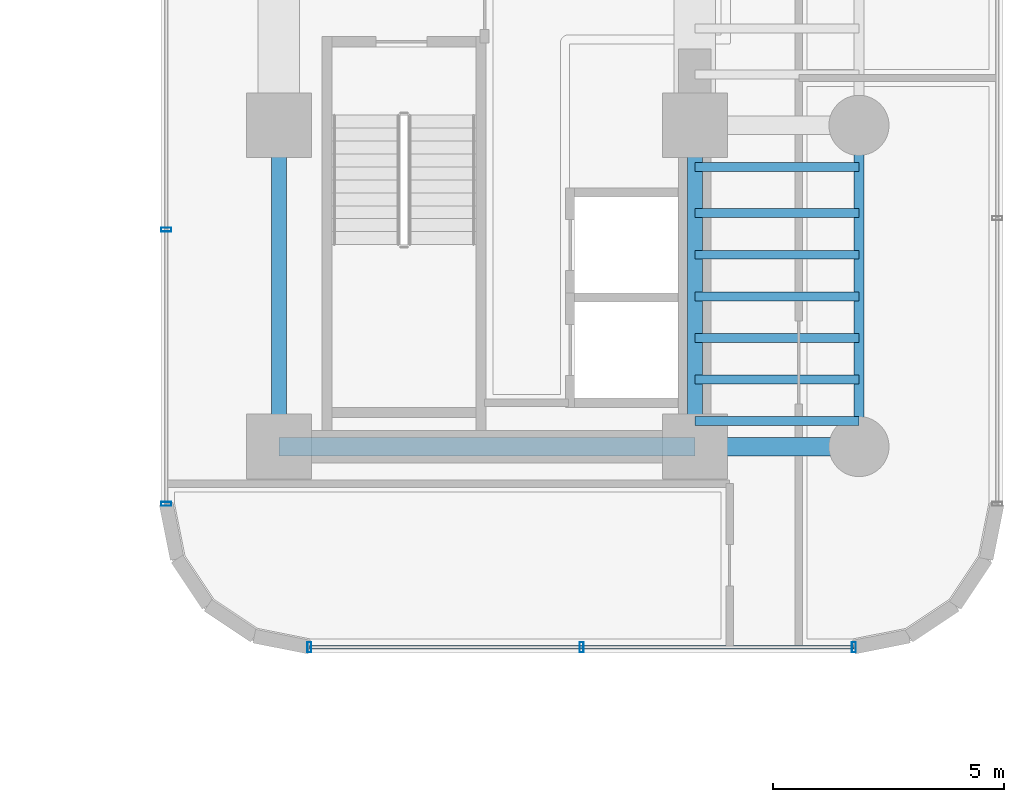
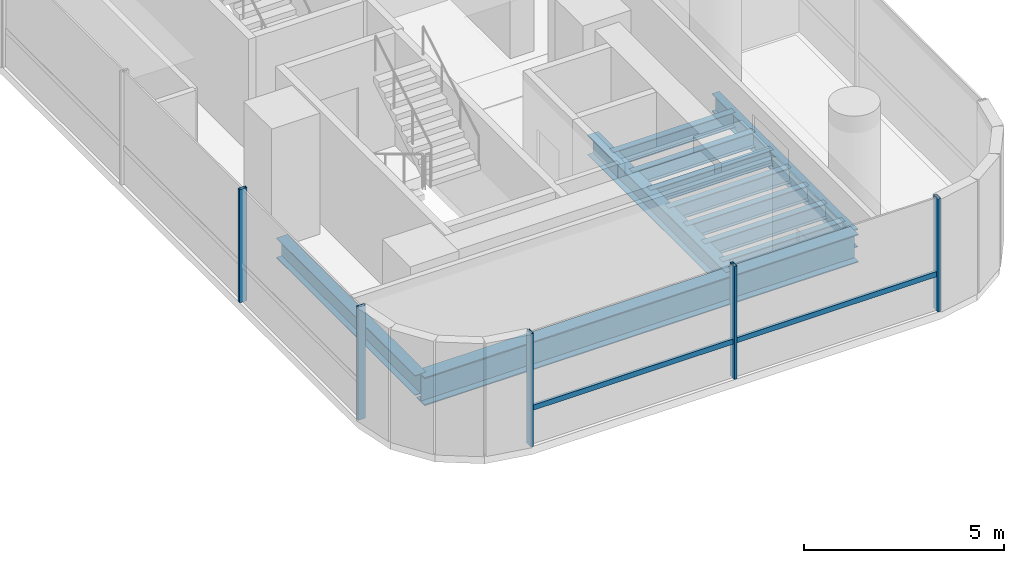
# One storey, part 14 of 40: 12 beams, 6 members, 2 elements without a shape of their own.
"""IFC4 building model written with IfcOpenShell, lengths in metres."""

from ifc_helpers import new_model, si_unit, direction, frame, origin, origin_2d, place, context, subcontext, project, spatial, hollow_rectangle, i_section, extrude, source, transform, mapped, material, material_profile, profile_set, type_object, element, aggregate, save


model = new_model("IFC4")

# Units and contexts
model_context = context("Model", 3, precision=1e-05, world=origin(), true_north=direction((0.0, 1.0)))
body_context = subcontext(model_context, "Body", "Model", "MODEL_VIEW")
ifc_project = project(units=[si_unit("LENGTHUNIT", "METRE"), si_unit("AREAUNIT", "SQUARE_METRE"), si_unit("VOLUMEUNIT", "CUBIC_METRE"), si_unit("PLANEANGLEUNIT", "RADIAN"), si_unit("MASSUNIT", "GRAM", prefix="KILO")], contexts=[model_context])

# Site, building, storey
site_placement = place(None, origin())
site = spatial("IfcSite", under=ifc_project, at=site_placement, CompositionType="ELEMENT")
building_placement = place(site_placement, origin())
building = spatial("IfcBuilding", under=site, at=building_placement, Name="Valdorenza Pilgrim Sanctuary Tower", CompositionType="ELEMENT")
storey_placement = place(building_placement, frame((0.0, 0.0, 51.89990234375)))
storey = spatial("IfcBuildingStorey", under=building, at=storey_placement, Name="L12", CompositionType="ELEMENT", Elevation=51.89990234375)

# Beams
ifc_material_1 = material(Name="Steel ASTM A992 Grade 50", Category="steel")
ifc_material_profile_1 = material_profile(ifc_material_1, i_section(OverallWidth=0.323974609375, OverallDepth=0.611083984375, WebThickness=0.0126953125, FlangeThickness=0.01904296875, at=origin_2d()), Name="W24X104")
ifc_profile_set_1 = profile_set([ifc_material_profile_1], Name="Steel ASTM A992 Grade 50")
beam_type_1 = type_object("IfcBeamType", Name="STR-BM-GRD-W24B", PredefinedType="BEAM", material=ifc_profile_set_1)
shared_shape_1 = source(origin(), body_context, "Body", "SweptSolid", [
    extrude(i_section(OverallWidth=0.323974609375, OverallDepth=0.611083984375, WebThickness=0.0126953125, FlangeThickness=0.01904296875, at=origin_2d()), origin(), (0.0, 0.0, 1.0), 6.949951171875),
])
for number, where, z_axis, x_axis, name in (
    (1, (15.85009765625, -9.550048828125, -0.54541015625), (0.0, 1.0, 0.0), (-1.0, 0.0, 0.0), "L12 Core Tie Girder CB-W-S1M0"),
    (2, (24.85009765625, -9.550048828125, -0.54541015625), (0.0, 1.0, 0.0), (-1.0, 0.0, 0.0), "L12 Core Tie Girder CB-E-S1M0"),
):
    element("IfcBeam", number, at=place(storey_placement, frame(where, z_axis=z_axis, x_axis=x_axis)), inside=storey, type_object=beam_type_1, Name=name, PredefinedType="BEAM", context=body_context, shape_type="MappedRepresentation", body=[
        mapped(shared_shape_1, transform((0.0, 0.0, 0.0), x_axis=(1.0, 0.0, 0.0), y_axis=(0.0, 1.0, 0.0), z_axis=(0.0, 0.0, 1.0), scale=1.0)),
    ])
ifc_material_profile_2 = material_profile(ifc_material_1, i_section(OverallWidth=0.214111328125, OverallDepth=0.549072265625, WebThickness=0.0146484375, FlangeThickness=0.023681640625, at=origin_2d()), Name="W21X93")
ifc_profile_set_2 = profile_set([ifc_material_profile_2], Name="Steel ASTM A992 Grade 50")
beam_type_2 = type_object("IfcBeamType", Name="STR-BM-SPN-W21A", PredefinedType="SPANDREL", material=ifc_profile_set_2)
shared_shape_2 = source(origin(), body_context, "Body", "SweptSolid", [
    extrude(i_section(OverallWidth=0.214111328125, OverallDepth=0.549072265625, WebThickness=0.0146484375, FlangeThickness=0.023681640625, at=origin_2d()), origin(), (0.0, 0.0, 1.0), 6.949951171875),
])
beam_1_placement = place(storey_placement, frame((28.39990234375, -9.550048828125, -0.514404296875), z_axis=(0.0, 1.0, 0.0), x_axis=(-1.0, 0.0, 0.0)))
element("IfcBeam", 3, at=beam_1_placement, inside=storey, type_object=beam_type_2, Name="L12 Spandrel Beam WB-E-S1M0", PredefinedType="SPANDREL", context=body_context, shape_type="MappedRepresentation", body=[
    mapped(shared_shape_2, transform((0.0, 0.0, 0.0), x_axis=(1.0, 0.0, 0.0), y_axis=(0.0, 1.0, 0.0), z_axis=(0.0, 0.0, 1.0), scale=1.0)),
])
ifc_material_profile_3 = material_profile(ifc_material_1, i_section(OverallWidth=0.193115234375, OverallDepth=0.466064453125, WebThickness=0.011474609375, FlangeThickness=0.01904296875, at=origin_2d()), Name="W18X65")
ifc_profile_set_3 = profile_set([ifc_material_profile_3], Name="Steel ASTM A992 Grade 50")
beam_type_3 = type_object("IfcBeamType", Name="STR-BM-JST-W18A", PredefinedType="JOIST", material=ifc_profile_set_3)
shared_shape_3 = source(origin(), body_context, "Body", "SweptSolid", [
    extrude(i_section(OverallWidth=0.193115234375, OverallDepth=0.466064453125, WebThickness=0.011474609375, FlangeThickness=0.01904296875, at=origin_2d()), origin(), (0.0, 0.0, 1.0), 3.5498046875),
])
for number, where, z_axis, x_axis, name in (
    (4, (24.85009765625, -9.0, -0.472900390625), (1.0, 0.0, 0.0), (0.0, 1.0, 0.0), "L12 Composite Floor Joist JST-WB-1"),
    (5, (24.85009765625, -8.10009765625, -0.472900390625), (1.0, 0.0, 0.0), (0.0, 1.0, 0.0), "L12 Composite Floor Joist JST-WB-2"),
    (6, (24.85009765625, -7.199951171875, -0.472900390625), (1.0, 0.0, 0.0), (0.0, 1.0, 0.0), "L12 Composite Floor Joist JST-WB-3"),
    (7, (24.85009765625, -6.300048828125, -0.472900390625), (1.0, 0.0, 0.0), (0.0, 1.0, 0.0), "L12 Composite Floor Joist JST-WB-4"),
    (8, (24.85009765625, -5.39990234375, -0.472900390625), (1.0, 0.0, 0.0), (0.0, 1.0, 0.0), "L12 Composite Floor Joist JST-WB-5"),
    (9, (24.85009765625, -4.5, -0.472900390625), (1.0, 0.0, 0.0), (0.0, 1.0, 0.0), "L12 Composite Floor Joist JST-WB-6"),
    (10, (24.85009765625, -3.5, -0.472900390625), (1.0, 0.0, 0.0), (0.0, 1.0, 0.0), "L12 Composite Floor Joist JST-WB-7"),
):
    element("IfcBeam", number, at=place(storey_placement, frame(where, z_axis=z_axis, x_axis=x_axis)), inside=storey, type_object=beam_type_3, Name=name, PredefinedType="JOIST", context=body_context, shape_type="MappedRepresentation", body=[
        mapped(shared_shape_3, transform((0.0, 0.0, 0.0), x_axis=(1.0, 0.0, 0.0), y_axis=(0.0, 1.0, 0.0), z_axis=(0.0, 0.0, 1.0), scale=1.0)),
    ])
ifc_material_profile_4 = material_profile(ifc_material_1, i_section(OverallWidth=0.39990234375, OverallDepth=0.862060546875, WebThickness=0.019775390625, FlangeThickness=0.032470703125, at=origin_2d()), Name="W33X221")
ifc_profile_set_4 = profile_set([ifc_material_profile_4], Name="Steel ASTM A992 Grade 50")
beam_type_4 = type_object("IfcBeamType", Name="STR-BM-GRD-W33", PredefinedType="BEAM", material=ifc_profile_set_4)
shared_shape_4 = source(origin(), body_context, "Body", "SweptSolid", [
    extrude(i_section(OverallWidth=0.39990234375, OverallDepth=0.862060546875, WebThickness=0.019775390625, FlangeThickness=0.032470703125, at=origin_2d()), origin(), (0.0, 0.0, 1.0), 9.0),
])
beam_2_placement = place(storey_placement, frame((15.85009765625, -9.550048828125, -0.6708984375), z_axis=(1.0, 0.0, 0.0), x_axis=(0.0, 1.0, 0.0)))
element("IfcBeam", 11, at=beam_2_placement, inside=storey, type_object=beam_type_4, Name="L12 Floor Girder CB-XC-S1", PredefinedType="BEAM", context=body_context, shape_type="MappedRepresentation", body=[
    mapped(shared_shape_4, transform((0.0, 0.0, 0.0), x_axis=(1.0, 0.0, 0.0), y_axis=(0.0, 1.0, 0.0), z_axis=(0.0, 0.0, 1.0), scale=1.0)),
])
shared_shape_5 = source(origin(), body_context, "Body", "SweptSolid", [
    extrude(i_section(OverallWidth=0.39990234375, OverallDepth=0.862060546875, WebThickness=0.019775390625, FlangeThickness=0.032470703125, at=origin_2d()), origin(), (0.0, 0.0, 1.0), 3.5498046875),
])
beam_3_placement = place(storey_placement, frame((24.85009765625, -9.550048828125, -0.6708984375), z_axis=(1.0, 0.0, 0.0), x_axis=(0.0, 1.0, 0.0)))
element("IfcBeam", 12, at=beam_3_placement, inside=storey, type_object=beam_type_4, Name="L12 Floor Girder WB-XE-S1", PredefinedType="BEAM", context=body_context, shape_type="MappedRepresentation", body=[
    mapped(shared_shape_5, transform((0.0, 0.0, 0.0), x_axis=(1.0, 0.0, 0.0), y_axis=(0.0, 1.0, 0.0), z_axis=(0.0, 0.0, 1.0), scale=1.0)),
])

# Curtain wall, members
ifc_material_2 = material(Name="Curtain-wall IGU glazing", Category="glass")
curtain_wall_type = type_object("IfcCurtainWallType", Name="CW-SYS-03", PredefinedType="NOTDEFINED", material=ifc_material_2)
curtain_wall_1_placement = place(storey_placement, origin())
curtain_wall_1 = element("IfcCurtainWall", 13, at=curtain_wall_1_placement, inside=storey, type_object=curtain_wall_type, Name="L12 Curtain Wall CW-L12-1-26", PredefinedType="NOTDEFINED")
ifc_material_3 = material(Name="Anodised aluminium AW-6060", Category="aluminium")
ifc_material_profile_5 = material_profile(ifc_material_3, hollow_rectangle(XDim=0.074951171875, YDim=0.159912109375, WallThickness=0.00390625, at=origin_2d()), Name="ALU-T 160x75x4")
ifc_profile_set_5 = profile_set([ifc_material_profile_5], Name="Anodised aluminium AW-6060")
member_type_1 = type_object("IfcMemberType", Name="CW-TRN-03", PredefinedType="USERDEFINED", material=ifc_profile_set_5)
shared_shape_6 = source(origin(), body_context, "Body", "SweptSolid", [
    extrude(hollow_rectangle(XDim=0.074951171875, YDim=0.159912109375, WallThickness=0.00390625, at=origin_2d()), origin(), (0.0, 0.0, 1.0), 11.778564453125),
])
member_1_placement = place(storey_placement, frame((28.289306640625, -13.889892578125, 1.1201171875), z_axis=(-1.0, 0.0, 0.0), x_axis=(0.0, -1.0, 0.0)))
member_1 = element("IfcMember", 14, at=member_1_placement, type_object=member_type_1, Name="CW-L12-1-26 Transom 1", ObjectType="TRANSOM", PredefinedType="USERDEFINED", context=body_context, shape_type="MappedRepresentation", body=[
    mapped(shared_shape_6, transform((0.0, 0.0, 0.0), x_axis=(1.0, 0.0, 0.0), y_axis=(0.0, 1.0, 0.0), z_axis=(0.0, 0.0, 1.0), scale=1.0)),
])
ifc_material_profile_6 = material_profile(ifc_material_3, hollow_rectangle(XDim=0.0849609375, YDim=0.219970703125, WallThickness=0.0048828125, at=origin_2d()), Name="ALU-M 220x85x5")
ifc_profile_set_6 = profile_set([ifc_material_profile_6], Name="Anodised aluminium AW-6060")
member_type_2 = type_object("IfcMemberType", Name="CW-MUL-03", PredefinedType="MULLION", material=ifc_profile_set_6)
shared_shape_7 = source(origin(), body_context, "Body", "SweptSolid", [
    extrude(hollow_rectangle(XDim=0.0849609375, YDim=0.219970703125, WallThickness=0.0048828125, at=origin_2d()), origin(), (0.0, 0.0, 1.0), 3.460205078125),
])
member_2_placement = place(storey_placement, frame((28.289306640625, -13.889892578125, 0.0), z_axis=(0.0, 0.0, 1.0), x_axis=(-1.0, 0.0, 0.0)))
member_2 = element("IfcMember", 15, at=member_2_placement, type_object=member_type_2, Name="CW-L12-1-26 Mullion 1", PredefinedType="MULLION", context=body_context, shape_type="MappedRepresentation", body=[
    mapped(shared_shape_7, transform((0.0, 0.0, 0.0), x_axis=(1.0, 0.0, 0.0), y_axis=(0.0, 1.0, 0.0), z_axis=(0.0, 0.0, 1.0), scale=1.0)),
])
member_3_placement = place(storey_placement, frame((22.39990234375, -13.889892578125, 0.0), z_axis=(0.0, 0.0, 1.0), x_axis=(-1.0, 0.0, 0.0)))
member_3 = element("IfcMember", 16, at=member_3_placement, type_object=member_type_2, Name="CW-L12-1-26 Mullion 2", PredefinedType="MULLION", context=body_context, shape_type="MappedRepresentation", body=[
    mapped(shared_shape_7, transform((0.0, 0.0, 0.0), x_axis=(1.0, 0.0, 0.0), y_axis=(0.0, 1.0, 0.0), z_axis=(0.0, 0.0, 1.0), scale=1.0)),
])
member_4_placement = place(storey_placement, frame((16.5107421875, -13.889892578125, 0.0), z_axis=(0.0, 0.0, 1.0), x_axis=(-1.0, 0.0, 0.0)))
member_4 = element("IfcMember", 17, at=member_4_placement, type_object=member_type_2, Name="CW-L12-1-26 Mullion 3", PredefinedType="MULLION", context=body_context, shape_type="MappedRepresentation", body=[
    mapped(shared_shape_7, transform((0.0, 0.0, 0.0), x_axis=(1.0, 0.0, 0.0), y_axis=(0.0, 1.0, 0.0), z_axis=(0.0, 0.0, 1.0), scale=1.0)),
])
aggregate(curtain_wall_1, [member_2, member_3, member_4, member_1])

curtain_wall_2_placement = place(storey_placement, origin())
curtain_wall_2 = element("IfcCurtainWall", 18, at=curtain_wall_2_placement, inside=storey, type_object=curtain_wall_type, Name="L12 Curtain Wall CW-L12-1-31", PredefinedType="NOTDEFINED")
member_5_placement = place(storey_placement, frame((13.409912109375, -10.789306640625, 0.0), z_axis=(0.0, 0.0, 1.0), x_axis=(0.0, 1.0, 0.0)))
member_5 = element("IfcMember", 19, at=member_5_placement, type_object=member_type_2, Name="CW-L12-1-31 Mullion 1", PredefinedType="MULLION", context=body_context, shape_type="MappedRepresentation", body=[
    mapped(shared_shape_7, transform((0.0, 0.0, 0.0), x_axis=(1.0, 0.0, 0.0), y_axis=(0.0, 1.0, 0.0), z_axis=(0.0, 0.0, 1.0), scale=1.0)),
])
member_6_placement = place(storey_placement, frame((13.409912109375, -4.85595703125, 0.0), z_axis=(0.0, 0.0, 1.0), x_axis=(0.0, 1.0, 0.0)))
member_6 = element("IfcMember", 20, at=member_6_placement, type_object=member_type_2, Name="CW-L12-1-31 Mullion 2", PredefinedType="MULLION", context=body_context, shape_type="MappedRepresentation", body=[
    mapped(shared_shape_7, transform((0.0, 0.0, 0.0), x_axis=(1.0, 0.0, 0.0), y_axis=(0.0, 1.0, 0.0), z_axis=(0.0, 0.0, 1.0), scale=1.0)),
])
aggregate(curtain_wall_2, [member_5, member_6])

save(model, "model.ifc")
